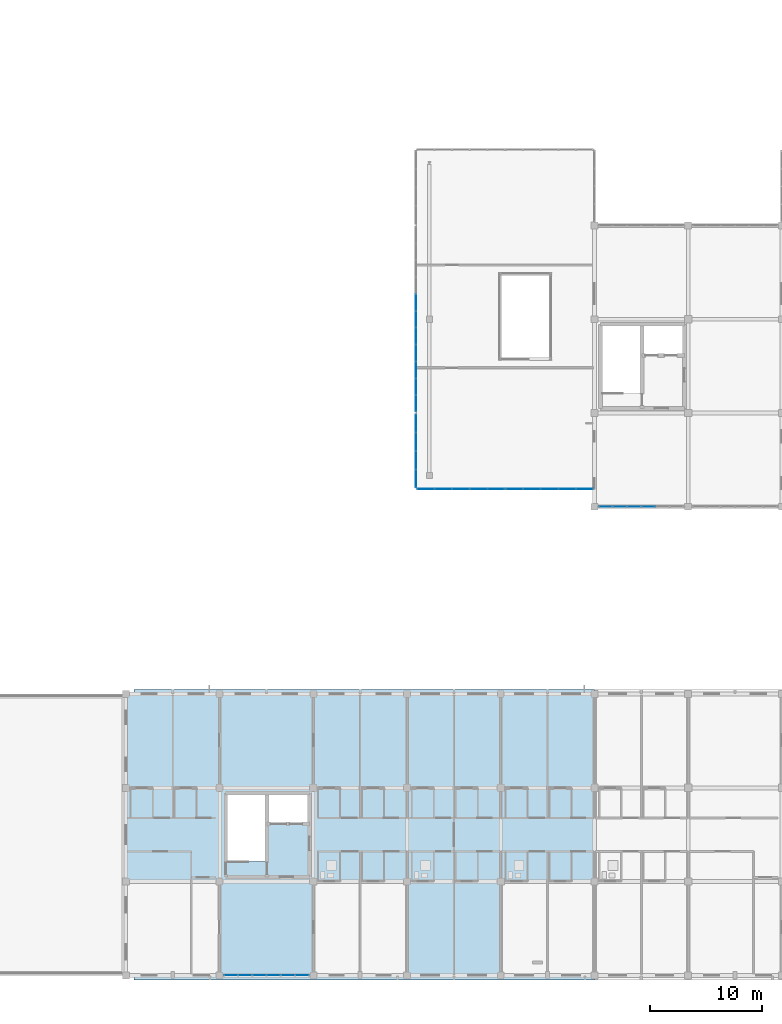
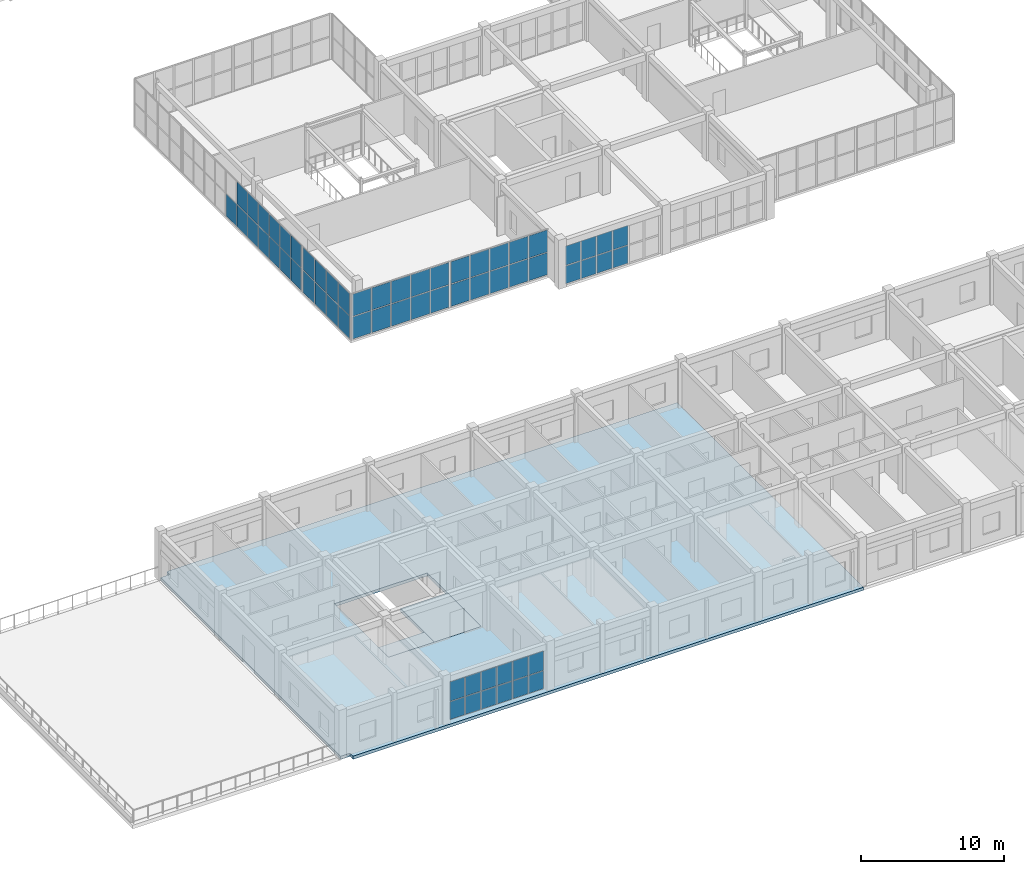
# One storey, part 52 of 81: 61 plates, 3 slabs, 6 elements without a shape of their own.
"""IFC4 building model written with IfcOpenShell, lengths in metres."""

from ifc_helpers import new_model, si_unit, direction, frame, origin, origin_2d, place, context, subcontext, project, spatial, polyline, rectangle, outline, extrude, material, layer, layer_set, type_object, element, aggregate, save


model = new_model("IFC4")

# Units and contexts
model_context = context("Model", 3, precision=1e-05, world=origin(), true_north=direction((0.0, 1.0)))
body_context = subcontext(model_context, "Body", "Model", "MODEL_VIEW")
ifc_project = project(units=[si_unit("LENGTHUNIT", "METRE"), si_unit("AREAUNIT", "SQUARE_METRE"), si_unit("VOLUMEUNIT", "CUBIC_METRE"), si_unit("PLANEANGLEUNIT", "RADIAN"), si_unit("MASSUNIT", "GRAM", prefix="KILO")], contexts=[model_context])

# Site, building, storey
site_placement = place(None, origin())
site = spatial("IfcSite", under=ifc_project, at=site_placement, CompositionType="ELEMENT")
building_placement = place(site_placement, origin())
building = spatial("IfcBuilding", under=site, at=building_placement, Name="Trelvath General Hospital", CompositionType="ELEMENT")
storey_placement = place(building_placement, frame((0.0, 0.0, 24.60009765625)))
storey = spatial("IfcBuildingStorey", under=building, at=storey_placement, Name="L06", CompositionType="ELEMENT", Elevation=24.60009765625)

# Curtain wall, plates
ifc_material_1 = material(Name="Anodised aluminium and low-E glass", Category="aluminium")
ifc_layer_1 = layer(ifc_material_1, 0.14990234375)
ifc_layer_set_1 = layer_set([ifc_layer_1], Name="Anodised aluminium and low-E glass")
curtain_wall_type_1 = type_object("IfcCurtainWallType", Name="CW Facade 767 334 15", PredefinedType="USERDEFINED", material=ifc_layer_set_1)
curtain_wall_1_placement = place(storey_placement, origin())
curtain_wall_1 = element("IfcCurtainWall", 1, at=curtain_wall_1_placement, inside=storey, type_object=curtain_wall_type_1, Name="Facade Curtain Wall CW-076", ObjectType="Unitised Glazed Curtain Wall", PredefinedType="USERDEFINED")
ifc_material_2 = material(Name="Low-E laminated glass", Category="glass")
ifc_layer_2 = layer(ifc_material_2, 0.028076171875)
ifc_layer_set_2 = layer_set([ifc_layer_2], Name="Low-E laminated glass")
plate_type_1 = type_object("IfcPlateType", Name="CurtainPanel Glass28", PredefinedType="CURTAIN_PANEL", material=ifc_layer_set_2)
plate_1_placement = place(storey_placement, frame((49.380859375, 0.0, 0.06005859375), z_axis=(0.0, 0.0, 1.0), x_axis=(-1.0, 0.0, 0.0)))
plate_1 = element("IfcPlate", 2, at=plate_1_placement, type_object=plate_type_1, Name="CW-076 panel 1.1", PredefinedType="CURTAIN_PANEL", context=body_context, shape_type="SweptSolid", body=[
    extrude(rectangle(XDim=1.188232421875, YDim=0.028076171875, at=origin_2d()), origin(), (0.0, 0.0, 1.0), 1.512939453125),
])
plate_2_placement = place(storey_placement, frame((49.380859375, 0.0, 1.6328125), z_axis=(0.0, 0.0, 1.0), x_axis=(-1.0, 0.0, 0.0)))
plate_2 = element("IfcPlate", 3, at=plate_2_placement, type_object=plate_type_1, Name="CW-076 panel 1.2", PredefinedType="CURTAIN_PANEL", context=body_context, shape_type="SweptSolid", body=[
    extrude(rectangle(XDim=1.188232421875, YDim=0.028076171875, at=origin_2d()), origin(), (0.0, 0.0, 1.0), 1.64697265625),
])
plate_3_placement = place(storey_placement, frame((48.117431640625, 0.0, 0.06005859375), z_axis=(0.0, 0.0, 1.0), x_axis=(-1.0, 0.0, 0.0)))
plate_3 = element("IfcPlate", 4, at=plate_3_placement, type_object=plate_type_1, Name="CW-076 panel 2.1", PredefinedType="CURTAIN_PANEL", context=body_context, shape_type="SweptSolid", body=[
    extrude(rectangle(XDim=1.21826171875, YDim=0.028076171875, at=origin_2d()), origin(), (0.0, 0.0, 1.0), 1.512939453125),
])
plate_4_placement = place(storey_placement, frame((48.117431640625, 0.0, 1.6328125), z_axis=(0.0, 0.0, 1.0), x_axis=(-1.0, 0.0, 0.0)))
plate_4 = element("IfcPlate", 5, at=plate_4_placement, type_object=plate_type_1, Name="CW-076 panel 2.2", PredefinedType="CURTAIN_PANEL", context=body_context, shape_type="SweptSolid", body=[
    extrude(rectangle(XDim=1.21826171875, YDim=0.028076171875, at=origin_2d()), origin(), (0.0, 0.0, 1.0), 1.64697265625),
])
plate_5_placement = place(storey_placement, frame((46.839111328125, 0.0, 0.06005859375), z_axis=(0.0, 0.0, 1.0), x_axis=(-1.0, 0.0, 0.0)))
plate_5 = element("IfcPlate", 6, at=plate_5_placement, type_object=plate_type_1, Name="CW-076 panel 3.1", PredefinedType="CURTAIN_PANEL", context=body_context, shape_type="SweptSolid", body=[
    extrude(rectangle(XDim=1.21826171875, YDim=0.028076171875, at=origin_2d()), origin(), (0.0, 0.0, 1.0), 1.512939453125),
])
plate_6_placement = place(storey_placement, frame((46.839111328125, 0.0, 1.6328125), z_axis=(0.0, 0.0, 1.0), x_axis=(-1.0, 0.0, 0.0)))
plate_6 = element("IfcPlate", 7, at=plate_6_placement, type_object=plate_type_1, Name="CW-076 panel 3.2", PredefinedType="CURTAIN_PANEL", context=body_context, shape_type="SweptSolid", body=[
    extrude(rectangle(XDim=1.21826171875, YDim=0.028076171875, at=origin_2d()), origin(), (0.0, 0.0, 1.0), 1.64697265625),
])
plate_7_placement = place(storey_placement, frame((45.560791015625, 0.0, 0.06005859375), z_axis=(0.0, 0.0, 1.0), x_axis=(-1.0, 0.0, 0.0)))
plate_7 = element("IfcPlate", 8, at=plate_7_placement, type_object=plate_type_1, Name="CW-076 panel 4.1", PredefinedType="CURTAIN_PANEL", context=body_context, shape_type="SweptSolid", body=[
    extrude(rectangle(XDim=1.21826171875, YDim=0.028076171875, at=origin_2d()), origin(), (0.0, 0.0, 1.0), 1.512939453125),
])
plate_8_placement = place(storey_placement, frame((45.560791015625, 0.0, 1.6328125), z_axis=(0.0, 0.0, 1.0), x_axis=(-1.0, 0.0, 0.0)))
plate_8 = element("IfcPlate", 9, at=plate_8_placement, type_object=plate_type_1, Name="CW-076 panel 4.2", PredefinedType="CURTAIN_PANEL", context=body_context, shape_type="SweptSolid", body=[
    extrude(rectangle(XDim=1.21826171875, YDim=0.028076171875, at=origin_2d()), origin(), (0.0, 0.0, 1.0), 1.64697265625),
])
plate_9_placement = place(storey_placement, frame((44.282470703125, 0.0, 0.06005859375), z_axis=(0.0, 0.0, 1.0), x_axis=(-1.0, 0.0, 0.0)))
plate_9 = element("IfcPlate", 10, at=plate_9_placement, type_object=plate_type_1, Name="CW-076 panel 5.1", PredefinedType="CURTAIN_PANEL", context=body_context, shape_type="SweptSolid", body=[
    extrude(rectangle(XDim=1.21826171875, YDim=0.028076171875, at=origin_2d()), origin(), (0.0, 0.0, 1.0), 1.512939453125),
])
plate_10_placement = place(storey_placement, frame((44.282470703125, 0.0, 1.6328125), z_axis=(0.0, 0.0, 1.0), x_axis=(-1.0, 0.0, 0.0)))
plate_10 = element("IfcPlate", 11, at=plate_10_placement, type_object=plate_type_1, Name="CW-076 panel 5.2", PredefinedType="CURTAIN_PANEL", context=body_context, shape_type="SweptSolid", body=[
    extrude(rectangle(XDim=1.21826171875, YDim=0.028076171875, at=origin_2d()), origin(), (0.0, 0.0, 1.0), 1.64697265625),
])
plate_11_placement = place(storey_placement, frame((43.019287109375, 0.0, 0.06005859375), z_axis=(0.0, 0.0, 1.0), x_axis=(-1.0, 0.0, 0.0)))
plate_11 = element("IfcPlate", 12, at=plate_11_placement, type_object=plate_type_1, Name="CW-076 panel 6.1", PredefinedType="CURTAIN_PANEL", context=body_context, shape_type="SweptSolid", body=[
    extrude(rectangle(XDim=1.188232421875, YDim=0.028076171875, at=origin_2d()), origin(), (0.0, 0.0, 1.0), 1.512939453125),
])
plate_12_placement = place(storey_placement, frame((43.019287109375, 0.0, 1.6328125), z_axis=(0.0, 0.0, 1.0), x_axis=(-1.0, 0.0, 0.0)))
plate_12 = element("IfcPlate", 13, at=plate_12_placement, type_object=plate_type_1, Name="CW-076 panel 6.2", PredefinedType="CURTAIN_PANEL", context=body_context, shape_type="SweptSolid", body=[
    extrude(rectangle(XDim=1.188232421875, YDim=0.028076171875, at=origin_2d()), origin(), (0.0, 0.0, 1.0), 1.64697265625),
])
aggregate(curtain_wall_1, [plate_1, plate_2, plate_3, plate_4, plate_5, plate_6, plate_7, plate_8, plate_9, plate_10, plate_11, plate_12])

ifc_material_3 = material(Name="Anodised aluminium and low-E glass", Category="aluminium")
ifc_layer_3 = layer(ifc_material_3, 0.139892578125)
ifc_layer_set_3 = layer_set([ifc_layer_3], Name="Anodised aluminium and low-E glass")
curtain_wall_type_2 = type_object("IfcCurtainWallType", Name="CW CrystalCube 790 396 14", PredefinedType="USERDEFINED", material=ifc_layer_set_3)
curtain_wall_2_placement = place(storey_placement, origin())
curtain_wall_2 = element("IfcCurtainWall", 14, at=curtain_wall_2_placement, inside=storey, type_object=curtain_wall_type_2, Name="Crystal Cube Curtain Wall CUBE-W-T2 S1 L06", ObjectType="Unitised Glazed Curtain Wall", PredefinedType="USERDEFINED")
plate_13_placement = place(storey_placement, frame((66.77490234375, 43.60009765625, 0.06005859375), z_axis=(0.0, 0.0, 1.0), x_axis=(-1.0, 0.0, 0.0)))
plate_13 = element("IfcPlate", 15, at=plate_13_placement, type_object=plate_type_1, Name="CW-324 panel 1.1", PredefinedType="CURTAIN_PANEL", context=body_context, shape_type="SweptSolid", body=[
    extrude(rectangle(XDim=1.489990234375, YDim=0.028076171875, at=origin_2d()), origin(), (0.0, 0.0, 1.0), 1.889892578125),
])
plate_14_placement = place(storey_placement, frame((66.77490234375, 43.60009765625, 2.009765625), z_axis=(0.0, 0.0, 1.0), x_axis=(-1.0, 0.0, 0.0)))
plate_14 = element("IfcPlate", 16, at=plate_14_placement, type_object=plate_type_1, Name="CW-324 panel 1.2", PredefinedType="CURTAIN_PANEL", context=body_context, shape_type="SweptSolid", body=[
    extrude(rectangle(XDim=1.489990234375, YDim=0.028076171875, at=origin_2d()), origin(), (0.0, 0.0, 1.0), 1.889892578125),
])
plate_15_placement = place(storey_placement, frame((65.2099609375, 43.60009765625, 0.06005859375), z_axis=(0.0, 0.0, 1.0), x_axis=(-1.0, 0.0, 0.0)))
plate_15 = element("IfcPlate", 17, at=plate_15_placement, type_object=plate_type_1, Name="CW-324 panel 2.1", PredefinedType="CURTAIN_PANEL", context=body_context, shape_type="SweptSolid", body=[
    extrude(rectangle(XDim=1.52001953125, YDim=0.028076171875, at=origin_2d()), origin(), (0.0, 0.0, 1.0), 1.889892578125),
])
plate_16_placement = place(storey_placement, frame((65.2099609375, 43.60009765625, 2.009765625), z_axis=(0.0, 0.0, 1.0), x_axis=(-1.0, 0.0, 0.0)))
plate_16 = element("IfcPlate", 18, at=plate_16_placement, type_object=plate_type_1, Name="CW-324 panel 2.2", PredefinedType="CURTAIN_PANEL", context=body_context, shape_type="SweptSolid", body=[
    extrude(rectangle(XDim=1.52001953125, YDim=0.028076171875, at=origin_2d()), origin(), (0.0, 0.0, 1.0), 1.889892578125),
])
plate_17_placement = place(storey_placement, frame((63.6298828125, 43.60009765625, 0.06005859375), z_axis=(0.0, 0.0, 1.0), x_axis=(-1.0, 0.0, 0.0)))
plate_17 = element("IfcPlate", 19, at=plate_17_placement, type_object=plate_type_1, Name="CW-324 panel 3.1", PredefinedType="CURTAIN_PANEL", context=body_context, shape_type="SweptSolid", body=[
    extrude(rectangle(XDim=1.52001953125, YDim=0.028076171875, at=origin_2d()), origin(), (0.0, 0.0, 1.0), 1.889892578125),
])
plate_18_placement = place(storey_placement, frame((63.6298828125, 43.60009765625, 2.009765625), z_axis=(0.0, 0.0, 1.0), x_axis=(-1.0, 0.0, 0.0)))
plate_18 = element("IfcPlate", 20, at=plate_18_placement, type_object=plate_type_1, Name="CW-324 panel 3.2", PredefinedType="CURTAIN_PANEL", context=body_context, shape_type="SweptSolid", body=[
    extrude(rectangle(XDim=1.52001953125, YDim=0.028076171875, at=origin_2d()), origin(), (0.0, 0.0, 1.0), 1.889892578125),
])
plate_19_placement = place(storey_placement, frame((62.050048828125, 43.60009765625, 0.06005859375), z_axis=(0.0, 0.0, 1.0), x_axis=(-1.0, 0.0, 0.0)))
plate_19 = element("IfcPlate", 21, at=plate_19_placement, type_object=plate_type_1, Name="CW-324 panel 4.1", PredefinedType="CURTAIN_PANEL", context=body_context, shape_type="SweptSolid", body=[
    extrude(rectangle(XDim=1.52001953125, YDim=0.028076171875, at=origin_2d()), origin(), (0.0, 0.0, 1.0), 1.889892578125),
])
plate_20_placement = place(storey_placement, frame((62.050048828125, 43.60009765625, 2.009765625), z_axis=(0.0, 0.0, 1.0), x_axis=(-1.0, 0.0, 0.0)))
plate_20 = element("IfcPlate", 22, at=plate_20_placement, type_object=plate_type_1, Name="CW-324 panel 4.2", PredefinedType="CURTAIN_PANEL", context=body_context, shape_type="SweptSolid", body=[
    extrude(rectangle(XDim=1.52001953125, YDim=0.028076171875, at=origin_2d()), origin(), (0.0, 0.0, 1.0), 1.889892578125),
])
plate_21_placement = place(storey_placement, frame((60.485107421875, 43.60009765625, 0.06005859375), z_axis=(0.0, 0.0, 1.0), x_axis=(-1.0, 0.0, 0.0)))
plate_21 = element("IfcPlate", 23, at=plate_21_placement, type_object=plate_type_1, Name="CW-324 panel 5.1", PredefinedType="CURTAIN_PANEL", context=body_context, shape_type="SweptSolid", body=[
    extrude(rectangle(XDim=1.489990234375, YDim=0.028076171875, at=origin_2d()), origin(), (0.0, 0.0, 1.0), 1.889892578125),
])
plate_22_placement = place(storey_placement, frame((60.485107421875, 43.60009765625, 2.009765625), z_axis=(0.0, 0.0, 1.0), x_axis=(-1.0, 0.0, 0.0)))
plate_22 = element("IfcPlate", 24, at=plate_22_placement, type_object=plate_type_1, Name="CW-324 panel 5.2", PredefinedType="CURTAIN_PANEL", context=body_context, shape_type="SweptSolid", body=[
    extrude(rectangle(XDim=1.489990234375, YDim=0.028076171875, at=origin_2d()), origin(), (0.0, 0.0, 1.0), 1.889892578125),
])
aggregate(curtain_wall_2, [plate_13, plate_14, plate_15, plate_16, plate_17, plate_18, plate_19, plate_20, plate_21, plate_22])

curtain_wall_3_placement = place(storey_placement, origin())
curtain_wall_3 = element("IfcCurtainWall", 25, at=curtain_wall_3_placement, inside=storey, type_object=curtain_wall_type_2, Name="Crystal Cube Curtain Wall CUBE-W-T2 S2 L06", ObjectType="Unitised Glazed Curtain Wall", PredefinedType="USERDEFINED")
plate_23_placement = place(storey_placement, frame((74.715087890625, 43.60009765625, 0.06005859375), z_axis=(0.0, 0.0, 1.0), x_axis=(-1.0, 0.0, 0.0)))
plate_23 = element("IfcPlate", 26, at=plate_23_placement, type_object=plate_type_1, Name="CW-325 panel 1.1", PredefinedType="CURTAIN_PANEL", context=body_context, shape_type="SweptSolid", body=[
    extrude(rectangle(XDim=1.489990234375, YDim=0.028076171875, at=origin_2d()), origin(), (0.0, 0.0, 1.0), 1.889892578125),
])
plate_24_placement = place(storey_placement, frame((74.715087890625, 43.60009765625, 2.009765625), z_axis=(0.0, 0.0, 1.0), x_axis=(-1.0, 0.0, 0.0)))
plate_24 = element("IfcPlate", 27, at=plate_24_placement, type_object=plate_type_1, Name="CW-325 panel 1.2", PredefinedType="CURTAIN_PANEL", context=body_context, shape_type="SweptSolid", body=[
    extrude(rectangle(XDim=1.489990234375, YDim=0.028076171875, at=origin_2d()), origin(), (0.0, 0.0, 1.0), 1.889892578125),
])
plate_25_placement = place(storey_placement, frame((73.14990234375, 43.60009765625, 0.06005859375), z_axis=(0.0, 0.0, 1.0), x_axis=(-1.0, 0.0, 0.0)))
plate_25 = element("IfcPlate", 28, at=plate_25_placement, type_object=plate_type_1, Name="CW-325 panel 2.1", PredefinedType="CURTAIN_PANEL", context=body_context, shape_type="SweptSolid", body=[
    extrude(rectangle(XDim=1.52001953125, YDim=0.028076171875, at=origin_2d()), origin(), (0.0, 0.0, 1.0), 1.889892578125),
])
plate_26_placement = place(storey_placement, frame((73.14990234375, 43.60009765625, 2.009765625), z_axis=(0.0, 0.0, 1.0), x_axis=(-1.0, 0.0, 0.0)))
plate_26 = element("IfcPlate", 29, at=plate_26_placement, type_object=plate_type_1, Name="CW-325 panel 2.2", PredefinedType="CURTAIN_PANEL", context=body_context, shape_type="SweptSolid", body=[
    extrude(rectangle(XDim=1.52001953125, YDim=0.028076171875, at=origin_2d()), origin(), (0.0, 0.0, 1.0), 1.889892578125),
])
plate_27_placement = place(storey_placement, frame((71.570068359375, 43.60009765625, 0.06005859375), z_axis=(0.0, 0.0, 1.0), x_axis=(-1.0, 0.0, 0.0)))
plate_27 = element("IfcPlate", 30, at=plate_27_placement, type_object=plate_type_1, Name="CW-325 panel 3.1", PredefinedType="CURTAIN_PANEL", context=body_context, shape_type="SweptSolid", body=[
    extrude(rectangle(XDim=1.52001953125, YDim=0.028076171875, at=origin_2d()), origin(), (0.0, 0.0, 1.0), 1.889892578125),
])
plate_28_placement = place(storey_placement, frame((71.570068359375, 43.60009765625, 2.009765625), z_axis=(0.0, 0.0, 1.0), x_axis=(-1.0, 0.0, 0.0)))
plate_28 = element("IfcPlate", 31, at=plate_28_placement, type_object=plate_type_1, Name="CW-325 panel 3.2", PredefinedType="CURTAIN_PANEL", context=body_context, shape_type="SweptSolid", body=[
    extrude(rectangle(XDim=1.52001953125, YDim=0.028076171875, at=origin_2d()), origin(), (0.0, 0.0, 1.0), 1.889892578125),
])
plate_29_placement = place(storey_placement, frame((69.989990234375, 43.60009765625, 0.06005859375), z_axis=(0.0, 0.0, 1.0), x_axis=(-1.0, 0.0, 0.0)))
plate_29 = element("IfcPlate", 32, at=plate_29_placement, type_object=plate_type_1, Name="CW-325 panel 4.1", PredefinedType="CURTAIN_PANEL", context=body_context, shape_type="SweptSolid", body=[
    extrude(rectangle(XDim=1.52001953125, YDim=0.028076171875, at=origin_2d()), origin(), (0.0, 0.0, 1.0), 1.889892578125),
])
plate_30_placement = place(storey_placement, frame((69.989990234375, 43.60009765625, 2.009765625), z_axis=(0.0, 0.0, 1.0), x_axis=(-1.0, 0.0, 0.0)))
plate_30 = element("IfcPlate", 33, at=plate_30_placement, type_object=plate_type_1, Name="CW-325 panel 4.2", PredefinedType="CURTAIN_PANEL", context=body_context, shape_type="SweptSolid", body=[
    extrude(rectangle(XDim=1.52001953125, YDim=0.028076171875, at=origin_2d()), origin(), (0.0, 0.0, 1.0), 1.889892578125),
])
plate_31_placement = place(storey_placement, frame((68.425048828125, 43.60009765625, 0.06005859375), z_axis=(0.0, 0.0, 1.0), x_axis=(-1.0, 0.0, 0.0)))
plate_31 = element("IfcPlate", 34, at=plate_31_placement, type_object=plate_type_1, Name="CW-325 panel 5.1", PredefinedType="CURTAIN_PANEL", context=body_context, shape_type="SweptSolid", body=[
    extrude(rectangle(XDim=1.489990234375, YDim=0.028076171875, at=origin_2d()), origin(), (0.0, 0.0, 1.0), 1.889892578125),
])
plate_32_placement = place(storey_placement, frame((68.425048828125, 43.60009765625, 2.009765625), z_axis=(0.0, 0.0, 1.0), x_axis=(-1.0, 0.0, 0.0)))
plate_32 = element("IfcPlate", 35, at=plate_32_placement, type_object=plate_type_1, Name="CW-325 panel 5.2", PredefinedType="CURTAIN_PANEL", context=body_context, shape_type="SweptSolid", body=[
    extrude(rectangle(XDim=1.489990234375, YDim=0.028076171875, at=origin_2d()), origin(), (0.0, 0.0, 1.0), 1.889892578125),
])
aggregate(curtain_wall_3, [plate_23, plate_24, plate_25, plate_26, plate_27, plate_28, plate_29, plate_30, plate_31, plate_32])

ifc_material_4 = material(Name="Anodised aluminium and low-E glass", Category="aluminium")
ifc_layer_4 = layer(ifc_material_4, 0.139892578125)
ifc_layer_set_4 = layer_set([ifc_layer_4], Name="Anodised aluminium and low-E glass")
curtain_wall_type_3 = type_object("IfcCurtainWallType", Name="CW CrystalCube 664 396 14", PredefinedType="USERDEFINED", material=ifc_layer_set_4)
curtain_wall_4_placement = place(storey_placement, origin())
curtain_wall_4 = element("IfcCurtainWall", 36, at=curtain_wall_4_placement, inside=storey, type_object=curtain_wall_type_3, Name="Crystal Cube Curtain Wall CUBE-W-T2 W1 L06", ObjectType="Unitised Glazed Curtain Wall", PredefinedType="USERDEFINED")
plate_33_placement = place(storey_placement, frame((59.60009765625, 44.52490234375, 0.06005859375), z_axis=(0.0, 0.0, 1.0), x_axis=(0.0, 1.0, 0.0)))
plate_33 = element("IfcPlate", 37, at=plate_33_placement, type_object=plate_type_1, Name="CW-328 panel 1.1", PredefinedType="CURTAIN_PANEL", context=body_context, shape_type="SweptSolid", body=[
    extrude(rectangle(XDim=1.570068359375, YDim=0.028076171875, at=origin_2d()), origin(), (0.0, 0.0, 1.0), 1.889892578125),
])
plate_34_placement = place(storey_placement, frame((59.60009765625, 44.52490234375, 2.009765625), z_axis=(0.0, 0.0, 1.0), x_axis=(0.0, 1.0, 0.0)))
plate_34 = element("IfcPlate", 38, at=plate_34_placement, type_object=plate_type_1, Name="CW-328 panel 1.2", PredefinedType="CURTAIN_PANEL", context=body_context, shape_type="SweptSolid", body=[
    extrude(rectangle(XDim=1.570068359375, YDim=0.028076171875, at=origin_2d()), origin(), (0.0, 0.0, 1.0), 1.889892578125),
])
plate_35_placement = place(storey_placement, frame((59.60009765625, 46.169921875, 0.06005859375), z_axis=(0.0, 0.0, 1.0), x_axis=(0.0, 1.0, 0.0)))
plate_35 = element("IfcPlate", 39, at=plate_35_placement, type_object=plate_type_1, Name="CW-328 panel 2.1", PredefinedType="CURTAIN_PANEL", context=body_context, shape_type="SweptSolid", body=[
    extrude(rectangle(XDim=1.60009765625, YDim=0.028076171875, at=origin_2d()), origin(), (0.0, 0.0, 1.0), 1.889892578125),
])
plate_36_placement = place(storey_placement, frame((59.60009765625, 46.169921875, 2.009765625), z_axis=(0.0, 0.0, 1.0), x_axis=(0.0, 1.0, 0.0)))
plate_36 = element("IfcPlate", 40, at=plate_36_placement, type_object=plate_type_1, Name="CW-328 panel 2.2", PredefinedType="CURTAIN_PANEL", context=body_context, shape_type="SweptSolid", body=[
    extrude(rectangle(XDim=1.60009765625, YDim=0.028076171875, at=origin_2d()), origin(), (0.0, 0.0, 1.0), 1.889892578125),
])
plate_37_placement = place(storey_placement, frame((59.60009765625, 47.830078125, 0.06005859375), z_axis=(0.0, 0.0, 1.0), x_axis=(0.0, 1.0, 0.0)))
plate_37 = element("IfcPlate", 41, at=plate_37_placement, type_object=plate_type_1, Name="CW-328 panel 3.1", PredefinedType="CURTAIN_PANEL", context=body_context, shape_type="SweptSolid", body=[
    extrude(rectangle(XDim=1.60009765625, YDim=0.028076171875, at=origin_2d()), origin(), (0.0, 0.0, 1.0), 1.889892578125),
])
plate_38_placement = place(storey_placement, frame((59.60009765625, 47.830078125, 2.009765625), z_axis=(0.0, 0.0, 1.0), x_axis=(0.0, 1.0, 0.0)))
plate_38 = element("IfcPlate", 42, at=plate_38_placement, type_object=plate_type_1, Name="CW-328 panel 3.2", PredefinedType="CURTAIN_PANEL", context=body_context, shape_type="SweptSolid", body=[
    extrude(rectangle(XDim=1.60009765625, YDim=0.028076171875, at=origin_2d()), origin(), (0.0, 0.0, 1.0), 1.889892578125),
])
plate_39_placement = place(storey_placement, frame((59.60009765625, 49.47509765625, 0.06005859375), z_axis=(0.0, 0.0, 1.0), x_axis=(0.0, 1.0, 0.0)))
plate_39 = element("IfcPlate", 43, at=plate_39_placement, type_object=plate_type_1, Name="CW-328 panel 4.1", PredefinedType="CURTAIN_PANEL", context=body_context, shape_type="SweptSolid", body=[
    extrude(rectangle(XDim=1.570068359375, YDim=0.028076171875, at=origin_2d()), origin(), (0.0, 0.0, 1.0), 1.889892578125),
])
plate_40_placement = place(storey_placement, frame((59.60009765625, 49.47509765625, 2.009765625), z_axis=(0.0, 0.0, 1.0), x_axis=(0.0, 1.0, 0.0)))
plate_40 = element("IfcPlate", 44, at=plate_40_placement, type_object=plate_type_1, Name="CW-328 panel 4.2", PredefinedType="CURTAIN_PANEL", context=body_context, shape_type="SweptSolid", body=[
    extrude(rectangle(XDim=1.570068359375, YDim=0.028076171875, at=origin_2d()), origin(), (0.0, 0.0, 1.0), 1.889892578125),
])
aggregate(curtain_wall_4, [plate_33, plate_34, plate_35, plate_36, plate_37, plate_38, plate_39, plate_40])

ifc_material_5 = material(Name="Anodised aluminium and low-E glass", Category="aluminium")
ifc_layer_5 = layer(ifc_material_5, 0.139892578125)
ifc_layer_set_5 = layer_set([ifc_layer_5], Name="Anodised aluminium and low-E glass")
curtain_wall_type_4 = type_object("IfcCurtainWallType", Name="CW CrystalCube 1664 396 14", PredefinedType="USERDEFINED", material=ifc_layer_set_5)
curtain_wall_5_placement = place(storey_placement, origin())
curtain_wall_5 = element("IfcCurtainWall", 45, at=curtain_wall_5_placement, inside=storey, type_object=curtain_wall_type_4, Name="Crystal Cube Curtain Wall CUBE-W-T2 W2 L06", ObjectType="Unitised Glazed Curtain Wall", PredefinedType="USERDEFINED")
plate_41_placement = place(storey_placement, frame((59.60009765625, 51.25146484375, 0.06005859375), z_axis=(0.0, 0.0, 1.0), x_axis=(0.0, 1.0, 0.0)))
plate_41 = element("IfcPlate", 46, at=plate_41_placement, type_object=plate_type_1, Name="CW-329 panel 1.1", PredefinedType="CURTAIN_PANEL", context=body_context, shape_type="SweptSolid", body=[
    extrude(rectangle(XDim=1.422607421875, YDim=0.028076171875, at=origin_2d()), origin(), (0.0, 0.0, 1.0), 1.889892578125),
])
plate_42_placement = place(storey_placement, frame((59.60009765625, 51.25146484375, 2.009765625), z_axis=(0.0, 0.0, 1.0), x_axis=(0.0, 1.0, 0.0)))
plate_42 = element("IfcPlate", 47, at=plate_42_placement, type_object=plate_type_1, Name="CW-329 panel 1.2", PredefinedType="CURTAIN_PANEL", context=body_context, shape_type="SweptSolid", body=[
    extrude(rectangle(XDim=1.422607421875, YDim=0.028076171875, at=origin_2d()), origin(), (0.0, 0.0, 1.0), 1.889892578125),
])
plate_43_placement = place(storey_placement, frame((59.60009765625, 52.7490234375, 0.06005859375), z_axis=(0.0, 0.0, 1.0), x_axis=(0.0, 1.0, 0.0)))
plate_43 = element("IfcPlate", 48, at=plate_43_placement, type_object=plate_type_1, Name="CW-329 panel 2.1", PredefinedType="CURTAIN_PANEL", context=body_context, shape_type="SweptSolid", body=[
    extrude(rectangle(XDim=1.45263671875, YDim=0.028076171875, at=origin_2d()), origin(), (0.0, 0.0, 1.0), 1.889892578125),
])
plate_44_placement = place(storey_placement, frame((59.60009765625, 52.7490234375, 2.009765625), z_axis=(0.0, 0.0, 1.0), x_axis=(0.0, 1.0, 0.0)))
plate_44 = element("IfcPlate", 49, at=plate_44_placement, type_object=plate_type_1, Name="CW-329 panel 2.2", PredefinedType="CURTAIN_PANEL", context=body_context, shape_type="SweptSolid", body=[
    extrude(rectangle(XDim=1.45263671875, YDim=0.028076171875, at=origin_2d()), origin(), (0.0, 0.0, 1.0), 1.889892578125),
])
plate_45_placement = place(storey_placement, frame((59.60009765625, 54.26171875, 0.06005859375), z_axis=(0.0, 0.0, 1.0), x_axis=(0.0, 1.0, 0.0)))
plate_45 = element("IfcPlate", 50, at=plate_45_placement, type_object=plate_type_1, Name="CW-329 panel 3.1", PredefinedType="CURTAIN_PANEL", context=body_context, shape_type="SweptSolid", body=[
    extrude(rectangle(XDim=1.45263671875, YDim=0.028076171875, at=origin_2d()), origin(), (0.0, 0.0, 1.0), 1.889892578125),
])
plate_46_placement = place(storey_placement, frame((59.60009765625, 54.26171875, 2.009765625), z_axis=(0.0, 0.0, 1.0), x_axis=(0.0, 1.0, 0.0)))
plate_46 = element("IfcPlate", 51, at=plate_46_placement, type_object=plate_type_1, Name="CW-329 panel 3.2", PredefinedType="CURTAIN_PANEL", context=body_context, shape_type="SweptSolid", body=[
    extrude(rectangle(XDim=1.45263671875, YDim=0.028076171875, at=origin_2d()), origin(), (0.0, 0.0, 1.0), 1.889892578125),
])
plate_47_placement = place(storey_placement, frame((59.60009765625, 55.774658203125, 0.06005859375), z_axis=(0.0, 0.0, 1.0), x_axis=(0.0, 1.0, 0.0)))
plate_47 = element("IfcPlate", 52, at=plate_47_placement, type_object=plate_type_1, Name="CW-329 panel 4.1", PredefinedType="CURTAIN_PANEL", context=body_context, shape_type="SweptSolid", body=[
    extrude(rectangle(XDim=1.45263671875, YDim=0.028076171875, at=origin_2d()), origin(), (0.0, 0.0, 1.0), 1.889892578125),
])
plate_48_placement = place(storey_placement, frame((59.60009765625, 55.774658203125, 2.009765625), z_axis=(0.0, 0.0, 1.0), x_axis=(0.0, 1.0, 0.0)))
plate_48 = element("IfcPlate", 53, at=plate_48_placement, type_object=plate_type_1, Name="CW-329 panel 4.2", PredefinedType="CURTAIN_PANEL", context=body_context, shape_type="SweptSolid", body=[
    extrude(rectangle(XDim=1.45263671875, YDim=0.028076171875, at=origin_2d()), origin(), (0.0, 0.0, 1.0), 1.889892578125),
])
plate_49_placement = place(storey_placement, frame((59.60009765625, 57.287353515625, 0.06005859375), z_axis=(0.0, 0.0, 1.0), x_axis=(0.0, 1.0, 0.0)))
plate_49 = element("IfcPlate", 54, at=plate_49_placement, type_object=plate_type_1, Name="CW-329 panel 5.1", PredefinedType="CURTAIN_PANEL", context=body_context, shape_type="SweptSolid", body=[
    extrude(rectangle(XDim=1.45263671875, YDim=0.028076171875, at=origin_2d()), origin(), (0.0, 0.0, 1.0), 1.889892578125),
])
plate_50_placement = place(storey_placement, frame((59.60009765625, 57.287353515625, 2.009765625), z_axis=(0.0, 0.0, 1.0), x_axis=(0.0, 1.0, 0.0)))
plate_50 = element("IfcPlate", 55, at=plate_50_placement, type_object=plate_type_1, Name="CW-329 panel 5.2", PredefinedType="CURTAIN_PANEL", context=body_context, shape_type="SweptSolid", body=[
    extrude(rectangle(XDim=1.45263671875, YDim=0.028076171875, at=origin_2d()), origin(), (0.0, 0.0, 1.0), 1.889892578125),
])
plate_51_placement = place(storey_placement, frame((59.60009765625, 58.800048828125, 0.06005859375), z_axis=(0.0, 0.0, 1.0), x_axis=(0.0, 1.0, 0.0)))
plate_51 = element("IfcPlate", 56, at=plate_51_placement, type_object=plate_type_1, Name="CW-329 panel 6.1", PredefinedType="CURTAIN_PANEL", context=body_context, shape_type="SweptSolid", body=[
    extrude(rectangle(XDim=1.45263671875, YDim=0.028076171875, at=origin_2d()), origin(), (0.0, 0.0, 1.0), 1.889892578125),
])
plate_52_placement = place(storey_placement, frame((59.60009765625, 58.800048828125, 2.009765625), z_axis=(0.0, 0.0, 1.0), x_axis=(0.0, 1.0, 0.0)))
plate_52 = element("IfcPlate", 57, at=plate_52_placement, type_object=plate_type_1, Name="CW-329 panel 6.2", PredefinedType="CURTAIN_PANEL", context=body_context, shape_type="SweptSolid", body=[
    extrude(rectangle(XDim=1.45263671875, YDim=0.028076171875, at=origin_2d()), origin(), (0.0, 0.0, 1.0), 1.889892578125),
])
plate_53_placement = place(storey_placement, frame((59.60009765625, 60.312744140625, 0.06005859375), z_axis=(0.0, 0.0, 1.0), x_axis=(0.0, 1.0, 0.0)))
plate_53 = element("IfcPlate", 58, at=plate_53_placement, type_object=plate_type_1, Name="CW-329 panel 7.1", PredefinedType="CURTAIN_PANEL", context=body_context, shape_type="SweptSolid", body=[
    extrude(rectangle(XDim=1.45263671875, YDim=0.028076171875, at=origin_2d()), origin(), (0.0, 0.0, 1.0), 1.889892578125),
])
aggregate(curtain_wall_5, [plate_41, plate_42, plate_43, plate_44, plate_45, plate_46, plate_47, plate_48, plate_49, plate_50, plate_51, plate_52, plate_53])

curtain_wall_6_placement = place(storey_placement, origin())
curtain_wall_6 = element("IfcCurtainWall", 59, at=curtain_wall_6_placement, inside=storey, type_object=curtain_wall_type_1, Name="Facade Curtain Wall CW-078", ObjectType="Unitised Glazed Curtain Wall", PredefinedType="USERDEFINED")
ifc_material_6 = material(Name="Low-E laminated glass", Category="glass")
ifc_layer_6 = layer(ifc_material_6, 0.035888671875)
ifc_layer_set_6 = layer_set([ifc_layer_6], Name="Low-E laminated glass")
plate_type_2 = type_object("IfcPlateType", Name="CurtainPanel Glass36", PredefinedType="CURTAIN_PANEL", material=ifc_layer_set_6)
plate_54_placement = place(storey_placement, frame((80.439208984375, 42.0, 0.06005859375), z_axis=(0.0, 0.0, 1.0), x_axis=(-1.0, 0.0, 0.0)))
plate_54 = element("IfcPlate", 60, at=plate_54_placement, type_object=plate_type_2, Name="CW-078 panel 3.1", PredefinedType="CURTAIN_PANEL", context=body_context, shape_type="SweptSolid", body=[
    extrude(rectangle(XDim=1.21826171875, YDim=0.035888671875, at=origin_2d()), origin(), (0.0, 0.0, 1.0), 1.512939453125),
])
plate_55_placement = place(storey_placement, frame((80.439208984375, 42.0, 1.6328125), z_axis=(0.0, 0.0, 1.0), x_axis=(-1.0, 0.0, 0.0)))
plate_55 = element("IfcPlate", 61, at=plate_55_placement, type_object=plate_type_2, Name="CW-078 panel 3.2", PredefinedType="CURTAIN_PANEL", context=body_context, shape_type="SweptSolid", body=[
    extrude(rectangle(XDim=1.21826171875, YDim=0.035888671875, at=origin_2d()), origin(), (0.0, 0.0, 1.0), 1.64697265625),
])
plate_56_placement = place(storey_placement, frame((79.160888671875, 42.0, 0.06005859375), z_axis=(0.0, 0.0, 1.0), x_axis=(-1.0, 0.0, 0.0)))
plate_56 = element("IfcPlate", 62, at=plate_56_placement, type_object=plate_type_2, Name="CW-078 panel 4.1", PredefinedType="CURTAIN_PANEL", context=body_context, shape_type="SweptSolid", body=[
    extrude(rectangle(XDim=1.21826171875, YDim=0.035888671875, at=origin_2d()), origin(), (0.0, 0.0, 1.0), 1.512939453125),
])
plate_57_placement = place(storey_placement, frame((79.160888671875, 42.0, 1.6328125), z_axis=(0.0, 0.0, 1.0), x_axis=(-1.0, 0.0, 0.0)))
plate_57 = element("IfcPlate", 63, at=plate_57_placement, type_object=plate_type_2, Name="CW-078 panel 4.2", PredefinedType="CURTAIN_PANEL", context=body_context, shape_type="SweptSolid", body=[
    extrude(rectangle(XDim=1.21826171875, YDim=0.035888671875, at=origin_2d()), origin(), (0.0, 0.0, 1.0), 1.64697265625),
])
plate_58_placement = place(storey_placement, frame((77.882568359375, 42.0, 0.06005859375), z_axis=(0.0, 0.0, 1.0), x_axis=(-1.0, 0.0, 0.0)))
plate_58 = element("IfcPlate", 64, at=plate_58_placement, type_object=plate_type_2, Name="CW-078 panel 5.1", PredefinedType="CURTAIN_PANEL", context=body_context, shape_type="SweptSolid", body=[
    extrude(rectangle(XDim=1.21826171875, YDim=0.035888671875, at=origin_2d()), origin(), (0.0, 0.0, 1.0), 1.512939453125),
])
plate_59_placement = place(storey_placement, frame((77.882568359375, 42.0, 1.6328125), z_axis=(0.0, 0.0, 1.0), x_axis=(-1.0, 0.0, 0.0)))
plate_59 = element("IfcPlate", 65, at=plate_59_placement, type_object=plate_type_2, Name="CW-078 panel 5.2", PredefinedType="CURTAIN_PANEL", context=body_context, shape_type="SweptSolid", body=[
    extrude(rectangle(XDim=1.21826171875, YDim=0.035888671875, at=origin_2d()), origin(), (0.0, 0.0, 1.0), 1.64697265625),
])
plate_60_placement = place(storey_placement, frame((76.619140625, 42.0, 0.06005859375), z_axis=(0.0, 0.0, 1.0), x_axis=(-1.0, 0.0, 0.0)))
plate_60 = element("IfcPlate", 66, at=plate_60_placement, type_object=plate_type_2, Name="CW-078 panel 6.1", PredefinedType="CURTAIN_PANEL", context=body_context, shape_type="SweptSolid", body=[
    extrude(rectangle(XDim=1.188232421875, YDim=0.035888671875, at=origin_2d()), origin(), (0.0, 0.0, 1.0), 1.512939453125),
])
plate_61_placement = place(storey_placement, frame((76.619140625, 42.0, 1.6328125), z_axis=(0.0, 0.0, 1.0), x_axis=(-1.0, 0.0, 0.0)))
plate_61 = element("IfcPlate", 67, at=plate_61_placement, type_object=plate_type_2, Name="CW-078 panel 6.2", PredefinedType="CURTAIN_PANEL", context=body_context, shape_type="SweptSolid", body=[
    extrude(rectangle(XDim=1.188232421875, YDim=0.035888671875, at=origin_2d()), origin(), (0.0, 0.0, 1.0), 1.64697265625),
])
aggregate(curtain_wall_6, [plate_54, plate_55, plate_56, plate_57, plate_58, plate_59, plate_60, plate_61])

# Slabs
ifc_material_7 = material(Name="Concrete C35/45", Category="concrete")
ifc_layer_7 = layer(ifc_material_7, 0.260009765625)
ifc_layer_set_7 = layer_set([ifc_layer_7], Name="Concrete C35/45")
slab_type = type_object("IfcSlabType", Name="FlatSlab Ward260", PredefinedType="FLOOR", material=ifc_layer_set_7)
slab_1_placement = place(storey_placement, frame((0.0, 0.0, -0.260009765625)))
element("IfcSlab", 68, at=slab_1_placement, inside=storey, type_object=slab_type, Name="Floor Slab SL-L06-V6-S1", PredefinedType="FLOOR", context=body_context, shape_type="SweptSolid", body=[
    extrude(outline(polyline([(34.35009765625, 25.199951171875), (34.35009765625, 25.6201171875), (75.60009765625, 25.6201171875), (75.60009765625, 25.219970703125), (75.580078125, 25.219970703125), (75.60009765625, 25.199951171875), (75.60009765625, 0.0), (75.580078125, 0.0), (75.60009765625, -0.02001953125), (75.60009765625, -0.419921875), (34.35009765625, -0.419921875), (34.35009765625, 0.0), (33.60009765625, 0.0), (33.60009765625, 25.199951171875), (34.35009765625, 25.199951171875)]), holes=[polyline([(42.550048828125, 8.800048828125), (50.050048828125, 8.800048828125), (50.050048828125, 16.35009765625), (42.550048828125, 16.35009765625), (42.550048828125, 8.800048828125)])]), origin(), (0.0, 0.0, 1.0), 0.260009765625),
])
slab_2_placement = place(storey_placement, frame((0.0, 0.0, -0.260009765625)))
element("IfcSlab", 69, at=slab_2_placement, inside=storey, type_object=slab_type, Name="Core Lobby Slab C4 L06", PredefinedType="FLOOR", context=body_context, shape_type="SweptSolid", body=[
    extrude(outline(polyline([(46.25, 8.800048828125), (50.050048828125, 8.800048828125), (50.050048828125, 13.550048828125), (46.25, 13.550048828125), (46.25, 8.800048828125)])), origin(), (0.0, 0.0, 1.0), 0.260009765625),
])
slab_3_placement = place(storey_placement, frame((0.0, 0.0, -0.260009765625)))
element("IfcSlab", 70, at=slab_3_placement, inside=storey, type_object=slab_type, Name="Stair Landing Slab C4 L06", PredefinedType="FLOOR", context=body_context, shape_type="SweptSolid", body=[
    extrude(outline(polyline([(42.550048828125, 8.800048828125), (46.25, 8.800048828125), (46.25, 10.199951171875), (42.550048828125, 10.199951171875), (42.550048828125, 8.800048828125)])), origin(), (0.0, 0.0, 1.0), 0.260009765625),
])

save(model, "model.ifc")
